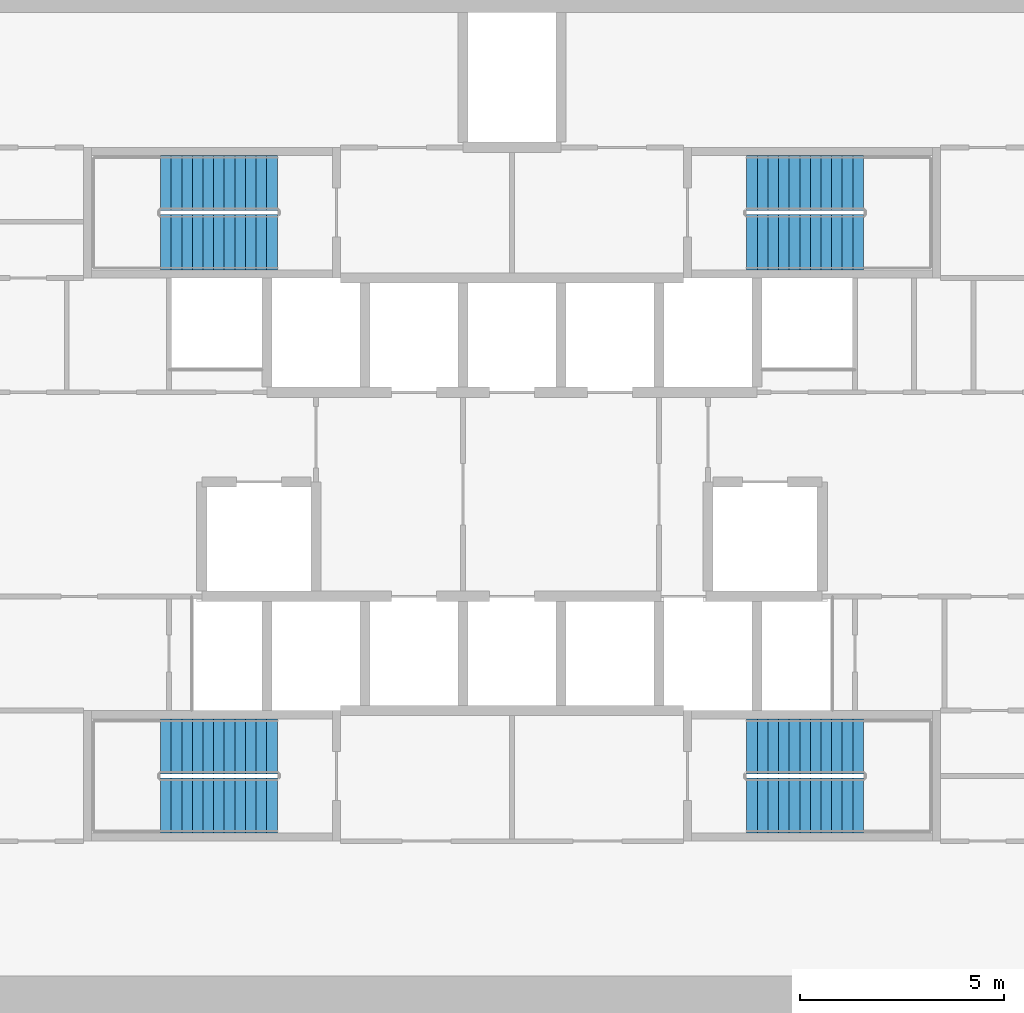
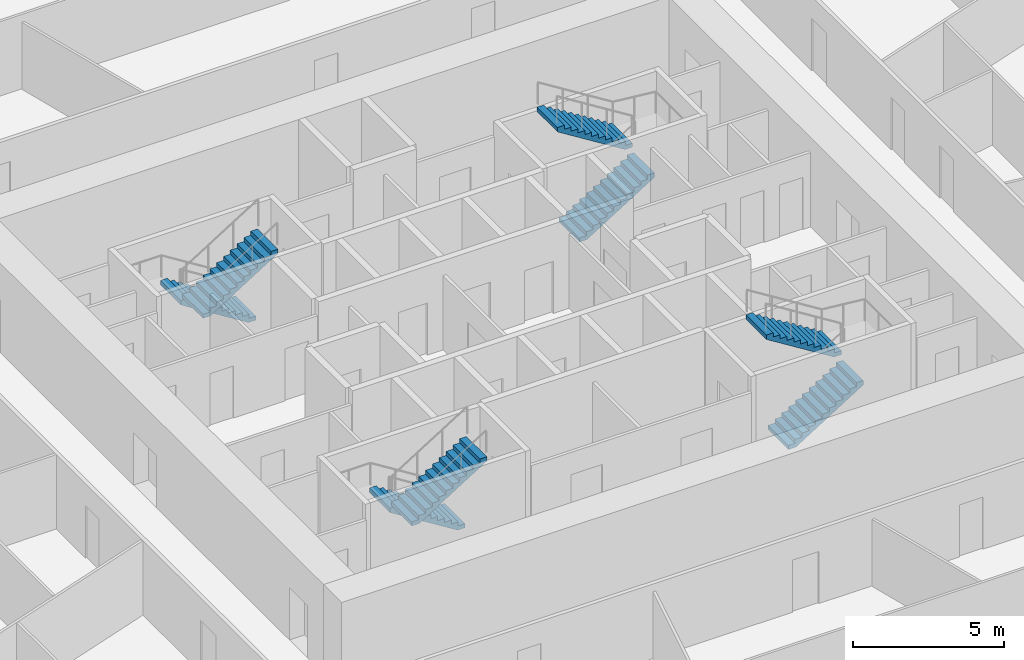
# One storey, part 10 of 11: 8 stair flights, 4 elements without a shape of their own.
"""IFC4 building model written with IfcOpenShell, lengths in metres."""

from ifc_helpers import new_model, si_unit, direction, frame, origin, place, context, subcontext, project, spatial, polyline, outline, extrude, source, transform, mapped, material, type_object, element, aggregate, save


model = new_model("IFC4")

# Units and contexts
model_context = context("Model", 3, precision=1e-05, world=origin(), true_north=direction((0.0, 1.0)))
body_context = subcontext(model_context, "Body", "Model", "MODEL_VIEW")
ifc_project = project(units=[si_unit("LENGTHUNIT", "METRE"), si_unit("AREAUNIT", "SQUARE_METRE"), si_unit("VOLUMEUNIT", "CUBIC_METRE"), si_unit("PLANEANGLEUNIT", "RADIAN"), si_unit("MASSUNIT", "GRAM", prefix="KILO")], contexts=[model_context])

# Site, building, storey
site_placement = place(None, origin())
site = spatial("IfcSite", under=ifc_project, at=site_placement, CompositionType="ELEMENT")
building_placement = place(site_placement, origin())
building = spatial("IfcBuilding", under=site, at=building_placement, Name="Embergate Tower", CompositionType="ELEMENT")
storey_placement = place(building_placement, frame((0.0, 0.0, 49.699951171875)))
storey = spatial("IfcBuildingStorey", under=building, at=storey_placement, Name="L08", CompositionType="ELEMENT", Elevation=49.699951171875)

# Stair, stair flights
ifc_material_1 = material(Name="Exit stair")
stair_type = type_object("IfcStairType", Name="Exit stair", PredefinedType="HALF_TURN_STAIR", material=ifc_material_1)
stair_1_placement = place(storey_placement, origin())
stair_1 = element("IfcStair", 1, at=stair_1_placement, inside=storey, type_object=stair_type, Name="L08 Exit stair 1", PredefinedType="HALF_TURN_STAIR")
ifc_material_2 = material(Name="Concrete C40", Category="concrete")
stair_flight_type = type_object("IfcStairFlightType", Name="Stair flight reinforced concrete", PredefinedType="STRAIGHT", material=ifc_material_2)
shared_shape = source(origin(), body_context, "Body", "SweptSolid", [
    extrude(outline(polyline([(0.0, 0.0), (0.0, 0.16259765625), (0.260009765625, 0.16259765625), (0.260009765625, 0.324951171875), (0.52001953125, 0.324951171875), (0.52001953125, 0.487548828125), (0.780029296875, 0.487548828125), (0.780029296875, 0.64990234375), (1.0400390625, 0.64990234375), (1.0400390625, 0.8125), (1.300048828125, 0.8125), (1.300048828125, 0.97509765625), (1.56005859375, 0.97509765625), (1.56005859375, 1.137451171875), (1.820068359375, 1.137451171875), (1.820068359375, 1.300048828125), (2.080078125, 1.300048828125), (2.080078125, 1.46240234375), (2.340087890625, 1.46240234375), (2.340087890625, 1.625), (2.60009765625, 1.625), (2.60009765625, 1.78759765625), (2.860107421875, 1.78759765625), (2.860107421875, 1.949951171875), (2.860107421875, 1.61083984375), (0.28271484375, 0.0), (0.0, 0.0)])), frame((0.0, 0.675048828125, 0.0), z_axis=(0.0, -1.0, 0.0), x_axis=(1.0, 0.0, 0.0)), (0.0, 0.0, 1.0), 1.35009765625),
])
stair_flight_1_placement = place(storey_placement, frame((-5.75, 7.625, 0.0), z_axis=(0.0, 0.0, 1.0), x_axis=(-1.0, 0.0, 0.0)))
stair_flight_1 = element("IfcStairFlight", 2, at=stair_flight_1_placement, type_object=stair_flight_type, Name="ST1 flight 1", NumberOfRisers=12, NumberOfTreads=11, PredefinedType="STRAIGHT", RiserHeight=0.1625, TreadLength=0.26, context=body_context, shape_type="MappedRepresentation", body=[
    mapped(shared_shape, transform((0.0, 0.0, 0.0))),
])
stair_flight_2_placement = place(storey_placement, frame((-8.610107421875, 6.175048828125, 1.949951171875), z_axis=(0.0, 0.0, 1.0), x_axis=(1.0, 0.0, 0.0)))
stair_flight_2 = element("IfcStairFlight", 3, at=stair_flight_2_placement, type_object=stair_flight_type, Name="ST1 flight 2", NumberOfRisers=12, NumberOfTreads=11, PredefinedType="STRAIGHT", RiserHeight=0.1625, TreadLength=0.26, context=body_context, shape_type="MappedRepresentation", body=[
    mapped(shared_shape, transform((0.0, 0.0, 0.0))),
])
aggregate(stair_1, [stair_flight_1, stair_flight_2])

stair_2_placement = place(storey_placement, origin())
stair_2 = element("IfcStair", 4, at=stair_2_placement, inside=storey, type_object=stair_type, Name="L08 Exit stair 2", PredefinedType="HALF_TURN_STAIR")
stair_flight_3_placement = place(storey_placement, frame((5.75, 6.175048828125, 0.0), z_axis=(0.0, 0.0, 1.0), x_axis=(1.0, 0.0, 0.0)))
stair_flight_3 = element("IfcStairFlight", 5, at=stair_flight_3_placement, type_object=stair_flight_type, Name="ST2 flight 1", NumberOfRisers=12, NumberOfTreads=11, PredefinedType="STRAIGHT", RiserHeight=0.1625, TreadLength=0.26, context=body_context, shape_type="MappedRepresentation", body=[
    mapped(shared_shape, transform((0.0, 0.0, 0.0))),
])
stair_flight_4_placement = place(storey_placement, frame((8.610107421875, 7.625, 1.949951171875), z_axis=(0.0, 0.0, 1.0), x_axis=(-1.0, 0.0, 0.0)))
stair_flight_4 = element("IfcStairFlight", 6, at=stair_flight_4_placement, type_object=stair_flight_type, Name="ST2 flight 2", NumberOfRisers=12, NumberOfTreads=11, PredefinedType="STRAIGHT", RiserHeight=0.1625, TreadLength=0.26, context=body_context, shape_type="MappedRepresentation", body=[
    mapped(shared_shape, transform((0.0, 0.0, 0.0))),
])
aggregate(stair_2, [stair_flight_3, stair_flight_4])

stair_3_placement = place(storey_placement, origin())
stair_3 = element("IfcStair", 7, at=stair_3_placement, inside=storey, type_object=stair_type, Name="L08 Exit stair 3", PredefinedType="HALF_TURN_STAIR")
stair_flight_5_placement = place(storey_placement, frame((-5.75, -6.175048828125, 0.0), z_axis=(0.0, 0.0, 1.0), x_axis=(-1.0, 0.0, 0.0)))
stair_flight_5 = element("IfcStairFlight", 8, at=stair_flight_5_placement, type_object=stair_flight_type, Name="ST3 flight 1", NumberOfRisers=12, NumberOfTreads=11, PredefinedType="STRAIGHT", RiserHeight=0.1625, TreadLength=0.26, context=body_context, shape_type="MappedRepresentation", body=[
    mapped(shared_shape, transform((0.0, 0.0, 0.0))),
])
stair_flight_6_placement = place(storey_placement, frame((-8.610107421875, -7.625, 1.949951171875), z_axis=(0.0, 0.0, 1.0), x_axis=(1.0, 0.0, 0.0)))
stair_flight_6 = element("IfcStairFlight", 9, at=stair_flight_6_placement, type_object=stair_flight_type, Name="ST3 flight 2", NumberOfRisers=12, NumberOfTreads=11, PredefinedType="STRAIGHT", RiserHeight=0.1625, TreadLength=0.26, context=body_context, shape_type="MappedRepresentation", body=[
    mapped(shared_shape, transform((0.0, 0.0, 0.0))),
])
aggregate(stair_3, [stair_flight_5, stair_flight_6])

stair_4_placement = place(storey_placement, origin())
stair_4 = element("IfcStair", 10, at=stair_4_placement, inside=storey, type_object=stair_type, Name="L08 Exit stair 4", PredefinedType="HALF_TURN_STAIR")
stair_flight_7_placement = place(storey_placement, frame((5.75, -7.625, 0.0), z_axis=(0.0, 0.0, 1.0), x_axis=(1.0, 0.0, 0.0)))
stair_flight_7 = element("IfcStairFlight", 11, at=stair_flight_7_placement, type_object=stair_flight_type, Name="ST4 flight 1", NumberOfRisers=12, NumberOfTreads=11, PredefinedType="STRAIGHT", RiserHeight=0.1625, TreadLength=0.26, context=body_context, shape_type="MappedRepresentation", body=[
    mapped(shared_shape, transform((0.0, 0.0, 0.0))),
])
stair_flight_8_placement = place(storey_placement, frame((8.610107421875, -6.175048828125, 1.949951171875), z_axis=(0.0, 0.0, 1.0), x_axis=(-1.0, 0.0, 0.0)))
stair_flight_8 = element("IfcStairFlight", 12, at=stair_flight_8_placement, type_object=stair_flight_type, Name="ST4 flight 2", NumberOfRisers=12, NumberOfTreads=11, PredefinedType="STRAIGHT", RiserHeight=0.1625, TreadLength=0.26, context=body_context, shape_type="MappedRepresentation", body=[
    mapped(shared_shape, transform((0.0, 0.0, 0.0))),
])
aggregate(stair_4, [stair_flight_7, stair_flight_8])

save(model, "model.ifc")
